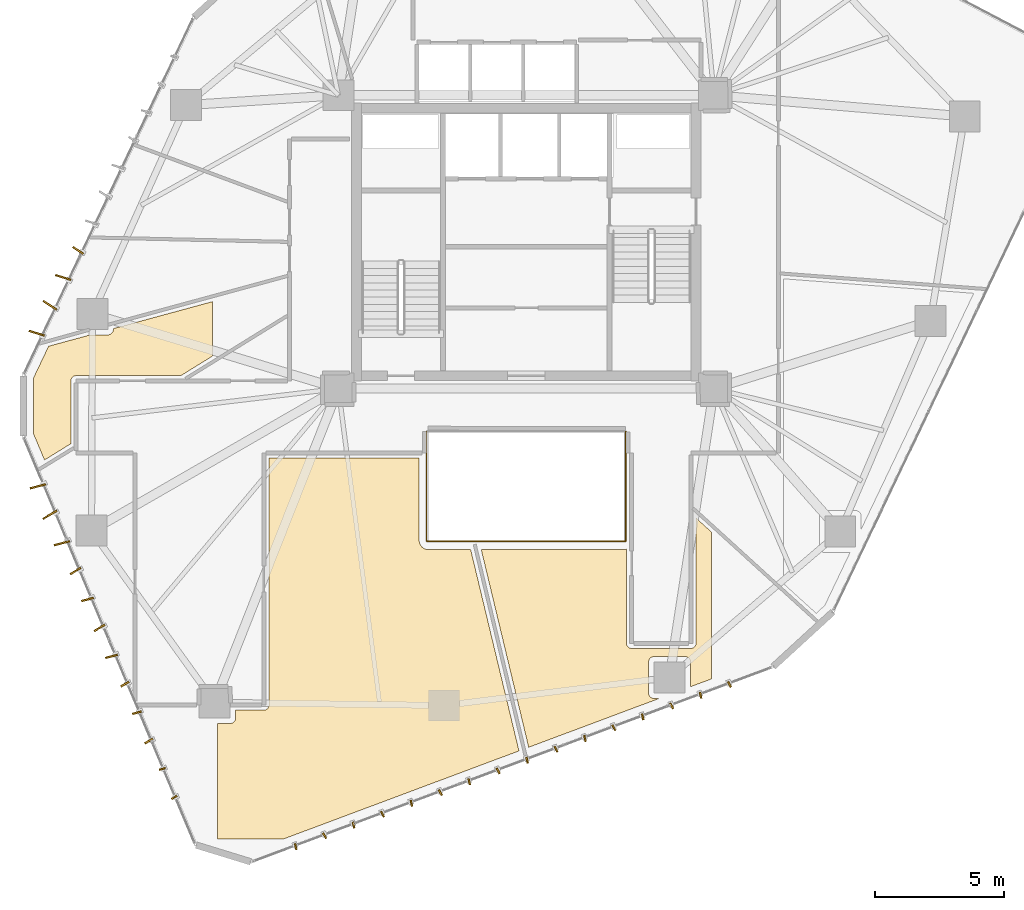
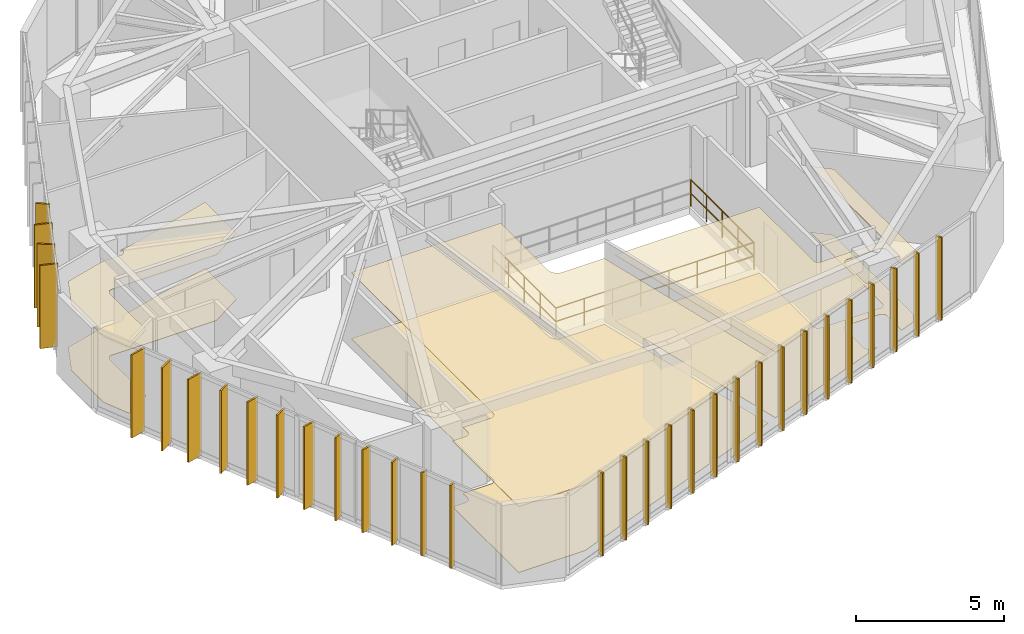
# One storey, part 20 of 22: 32 shading devices, 6 coverings, 3 railings.
"""IFC4 building model written with IfcOpenShell, lengths in metres."""

from ifc_helpers import new_model, si_unit, direction, frame, origin, origin_2d, place, context, subcontext, project, spatial, polyline, rectangle, circle, outline, extrude, source, transform, mapped, material, layer, layer_set, type_object, type_shapes, element, save


model = new_model("IFC4")

# Units and contexts
model_context = context("Model", 3, precision=1e-05, world=origin(), true_north=direction((0.0, 1.0)))
body_context = subcontext(model_context, "Body", "Model", "MODEL_VIEW")
ifc_project = project(units=[si_unit("LENGTHUNIT", "METRE"), si_unit("AREAUNIT", "SQUARE_METRE"), si_unit("VOLUMEUNIT", "CUBIC_METRE"), si_unit("PLANEANGLEUNIT", "RADIAN"), si_unit("MASSUNIT", "GRAM", prefix="KILO")], contexts=[model_context])

# Site, building, storey
site_placement = place(None, origin())
site = spatial("IfcSite", under=ifc_project, at=site_placement, CompositionType="ELEMENT")
building_placement = place(site_placement, origin())
building = spatial("IfcBuilding", under=site, at=building_placement, Name="Talar Marvaseh", CompositionType="ELEMENT")
storey_placement = place(building_placement, frame((0.0, 0.0, 150.60009765625)))
storey = spatial("IfcBuildingStorey", under=building, at=storey_placement, Name="L39", CompositionType="ELEMENT", Elevation=150.60009765625)

# Railings
ifc_material_1 = material(Name="Tempered Clear Glass", Category="glass")
railing_type = type_object("IfcRailingType", Name="Interior Atrium Edge Balustrade 1120", PredefinedType="BALUSTRADE", material=ifc_material_1)
railing_1_placement = place(storey_placement, frame((22.1298828125, 19.561279296875, 0.0)))
element("IfcRailing", 1, at=railing_1_placement, inside=storey, type_object=railing_type, Name="L39 Internal Daylight Atrium Balustrade 1", PredefinedType="BALUSTRADE", context=body_context, shape_type="SweptSolid", body=[
    extrude(circle(Radius=0.02392578125, at=origin_2d()), frame((0.0, 0.0, 1.09619140625), z_axis=(1.0, 0.0, 0.0), x_axis=(0.0, 1.0, 0.0)), (0.0, 0.0, 1.0), 7.740234375),
    extrude(circle(Radius=0.02392578125, at=origin_2d()), frame((0.0, 0.0, 0.5361328125), z_axis=(1.0, 0.0, 0.0), x_axis=(0.0, 1.0, 0.0)), (0.0, 0.0, 1.0), 7.740234375),
    extrude(circle(Radius=0.02099609375, at=origin_2d()), origin(), (0.0, 0.0, 1.0), 1.072021484375),
    extrude(circle(Radius=0.02099609375, at=origin_2d()), frame((1.105712890625, 0.0, 0.0)), (0.0, 0.0, 1.0), 1.072021484375),
    extrude(circle(Radius=0.02099609375, at=origin_2d()), frame((2.21142578125, 0.0, 0.0)), (0.0, 0.0, 1.0), 1.072021484375),
    extrude(circle(Radius=0.02099609375, at=origin_2d()), frame((3.317138671875, 0.0, 0.0)), (0.0, 0.0, 1.0), 1.072021484375),
    extrude(circle(Radius=0.02099609375, at=origin_2d()), frame((4.423095703125, 0.0, 0.0)), (0.0, 0.0, 1.0), 1.072021484375),
    extrude(circle(Radius=0.02099609375, at=origin_2d()), frame((5.52880859375, 0.0, 0.0)), (0.0, 0.0, 1.0), 1.072021484375),
    extrude(circle(Radius=0.02099609375, at=origin_2d()), frame((6.634521484375, 0.0, 0.0)), (0.0, 0.0, 1.0), 1.072021484375),
    extrude(circle(Radius=0.02099609375, at=origin_2d()), frame((7.740234375, 0.0, 0.0)), (0.0, 0.0, 1.0), 1.072021484375),
])
railing_2_placement = place(storey_placement, frame((29.8701171875, 19.561279296875, 0.0)))
element("IfcRailing", 2, at=railing_2_placement, inside=storey, type_object=railing_type, Name="L39 Internal Daylight Atrium Balustrade 2", PredefinedType="BALUSTRADE", context=body_context, shape_type="SweptSolid", body=[
    extrude(circle(Radius=0.02392578125, at=origin_2d()), frame((0.0, 0.0, 1.09619140625), z_axis=(0.0, 1.0, 0.0), x_axis=(-1.0, 0.0, 0.0)), (0.0, 0.0, 1.0), 4.27734375),
    extrude(circle(Radius=0.02392578125, at=origin_2d()), frame((0.0, 0.0, 0.5361328125), z_axis=(0.0, 1.0, 0.0), x_axis=(-1.0, 0.0, 0.0)), (0.0, 0.0, 1.0), 4.27734375),
    extrude(circle(Radius=0.02099609375, at=origin_2d()), origin(), (0.0, 0.0, 1.0), 1.072021484375),
    extrude(circle(Radius=0.02099609375, at=origin_2d()), frame((0.0, 1.0693359375, 0.0)), (0.0, 0.0, 1.0), 1.072021484375),
    extrude(circle(Radius=0.02099609375, at=origin_2d()), frame((0.0, 2.138671875, 0.0)), (0.0, 0.0, 1.0), 1.072021484375),
    extrude(circle(Radius=0.02099609375, at=origin_2d()), frame((0.0, 3.2080078125, 0.0)), (0.0, 0.0, 1.0), 1.072021484375),
    extrude(circle(Radius=0.02099609375, at=origin_2d()), frame((0.0, 4.27734375, 0.0)), (0.0, 0.0, 1.0), 1.072021484375),
])
railing_3_placement = place(storey_placement, frame((22.1298828125, 23.838623046875, 0.0)))
element("IfcRailing", 3, at=railing_3_placement, inside=storey, type_object=railing_type, Name="L39 Internal Daylight Atrium Balustrade 4", PredefinedType="BALUSTRADE", context=body_context, shape_type="SweptSolid", body=[
    extrude(circle(Radius=0.02392578125, at=origin_2d()), frame((0.0, 0.0, 1.09619140625), z_axis=(0.0, -1.0, 0.0), x_axis=(1.0, 0.0, 0.0)), (0.0, 0.0, 1.0), 4.27734375),
    extrude(circle(Radius=0.02392578125, at=origin_2d()), frame((0.0, 0.0, 0.5361328125), z_axis=(0.0, -1.0, 0.0), x_axis=(1.0, 0.0, 0.0)), (0.0, 0.0, 1.0), 4.27734375),
    extrude(circle(Radius=0.02099609375, at=origin_2d()), origin(), (0.0, 0.0, 1.0), 1.072021484375),
    extrude(circle(Radius=0.02099609375, at=origin_2d()), frame((0.0, -1.0693359375, 0.0)), (0.0, 0.0, 1.0), 1.072021484375),
    extrude(circle(Radius=0.02099609375, at=origin_2d()), frame((0.0, -2.138671875, 0.0)), (0.0, 0.0, 1.0), 1.072021484375),
    extrude(circle(Radius=0.02099609375, at=origin_2d()), frame((0.0, -3.2080078125, 0.0)), (0.0, 0.0, 1.0), 1.072021484375),
    extrude(circle(Radius=0.02099609375, at=origin_2d()), frame((0.0, -4.27734375, 0.0)), (0.0, 0.0, 1.0), 1.072021484375),
])

# Coverings
ifc_material_2 = material(Name="Mineral Fibre Acoustic Ceiling")
ifc_layer_1 = layer(ifc_material_2, 0.02490234375)
ifc_layer_set_1 = layer_set([ifc_layer_1], Name="Mineral Fibre Acoustic Ceiling")
covering_type_1 = type_object("IfcCoveringType", Name="Perforated Mineral Fibre Acoustic Suspended Ceiling", PredefinedType="CEILING", material=ifc_layer_set_1)
covering_1_placement = place(storey_placement, frame((0.0, 0.0, 2.719970703125)))
element("IfcCovering", 4, at=covering_1_placement, inside=storey, type_object=covering_type_1, Name="L39 Curatorial Office Acoustic Ceiling", PredefinedType="CEILING", context=body_context, shape_type="SweptSolid", body=[
    extrude(outline(polyline([(8.48046875, 25.9990234375), (8.4609375, 25.99609375), (8.44189453125, 25.991455078125), (8.423583984375, 25.98486328125), (8.40576171875, 25.976318359375), (8.388916015625, 25.96630859375), (8.373046875, 25.95458984375), (8.358642578125, 25.94140625), (8.345458984375, 25.927001953125), (8.333740234375, 25.9111328125), (8.323486328125, 25.894287109375), (8.315185546875, 25.87646484375), (8.30859375, 25.858154296875), (8.3037109375, 25.839111328125), (8.301025390625, 25.819580078125), (8.300048828125, 25.800048828125), (8.300048828125, 23.355712890625), (7.2783203125, 22.723388671875), (6.857421875, 23.72216796875), (6.852783203125, 25.91748046875), (7.4365234375, 27.1455078125), (9.058837890625, 27.5869140625), (9.74267578125, 27.587646484375), (9.76220703125, 27.588623046875), (9.78173828125, 27.591552734375), (9.80078125, 27.59619140625), (9.8193359375, 27.60302734375), (9.837158203125, 27.611572265625), (9.85400390625, 27.62158203125), (9.869873046875, 27.63330078125), (9.88427734375, 27.646728515625), (9.8974609375, 27.661376953125), (9.907958984375, 27.67431640625), (9.919677734375, 27.68994140625), (9.929443359375, 27.706787109375), (9.937744140625, 27.724365234375), (9.9443359375, 27.74267578125), (9.94921875, 27.76171875), (9.951904296875, 27.781005859375), (9.952880859375, 27.80029296875), (9.952880859375, 27.83056640625), (13.800048828125, 28.8779296875), (13.800048828125, 26.7578125), (12.574951171875, 26.0), (8.5, 26.0), (8.48046875, 25.9990234375)])), origin(), (0.0, 0.0, 1.0), 0.02490234375),
])
covering_2_placement = place(storey_placement, frame((0.0, 0.0, 2.719970703125)))
element("IfcCovering", 5, at=covering_2_placement, inside=storey, type_object=covering_type_1, Name="L39 Archival Research Office Acoustic Ceiling", PredefinedType="CEILING", context=body_context, shape_type="SweptSolid", body=[
    extrude(outline(polyline([(14.516357421875, 12.486083984375), (14.535888671875, 12.489013671875), (14.5546875, 12.49365234375), (14.5732421875, 12.500244140625), (14.591064453125, 12.5087890625), (14.60791015625, 12.518798828125), (14.62353515625, 12.530517578125), (14.63818359375, 12.543701171875), (14.651123046875, 12.55810546875), (14.662841796875, 12.573974609375), (14.672119140625, 12.587890625), (14.682373046875, 12.6044921875), (14.690673828125, 12.622314453125), (14.697509765625, 12.640869140625), (14.7021484375, 12.659912109375), (14.705078125, 12.679443359375), (14.7060546875, 12.698974609375), (14.7060546875, 13.0), (15.800048828125, 13.0), (15.819580078125, 13.0009765625), (15.839111328125, 13.00390625), (15.858154296875, 13.008544921875), (15.87646484375, 13.01513671875), (15.894287109375, 13.023681640625), (15.9111328125, 13.03369140625), (15.927001953125, 13.04541015625), (15.94140625, 13.05859375), (15.95458984375, 13.072998046875), (15.96630859375, 13.0888671875), (15.976318359375, 13.105712890625), (15.98486328125, 13.12353515625), (15.991455078125, 13.141845703125), (15.99609375, 13.160888671875), (15.9990234375, 13.180419921875), (16.0, 13.199951171875), (16.0, 22.800048828125), (21.840087890625, 22.800048828125), (21.840087890625, 19.60009765625), (21.840576171875, 19.585205078125), (21.84228515625, 19.570556640625), (21.84912109375, 19.524169921875), (21.852783203125, 19.5048828125), (21.858642578125, 19.486083984375), (21.8662109375, 19.468017578125), (21.88623046875, 19.425537109375), (21.8955078125, 19.408203125), (21.90625, 19.39208984375), (21.918701171875, 19.376953125), (21.9501953125, 19.342041015625), (21.964111328125, 19.328125), (21.9794921875, 19.315673828125), (21.995849609375, 19.3046875), (22.0361328125, 19.280517578125), (22.053466796875, 19.271240234375), (22.071533203125, 19.263916015625), (22.090087890625, 19.25830078125), (22.1357421875, 19.246826171875), (22.159912109375, 19.2421875), (22.18408203125, 19.24072265625), (23.841552734375, 19.239990234375), (25.719970703125, 11.415771484375), (16.588134765625, 8.0), (14.0, 8.0), (14.0, 12.484619140625), (14.496826171875, 12.485107421875), (14.516357421875, 12.486083984375)])), origin(), (0.0, 0.0, 1.0), 0.02490234375),
])
covering_3_placement = place(storey_placement, frame((0.0, 0.0, 2.719970703125)))
element("IfcCovering", 6, at=covering_3_placement, inside=storey, type_object=covering_type_1, Name="L39 Scholars' Servery Pantry Acoustic Ceiling", PredefinedType="CEILING", context=body_context, shape_type="SweptSolid", body=[
    extrude(outline(polyline([(29.800048828125, 19.239990234375), (29.81640625, 19.24072265625), (29.83251953125, 19.24267578125), (29.8486328125, 19.24609375), (29.89990234375, 19.2587890625), (29.89990234375, 15.60009765625), (29.90087890625, 15.580322265625), (29.90380859375, 15.56103515625), (29.90869140625, 15.5419921875), (29.915283203125, 15.5234375), (29.923583984375, 15.505615234375), (29.93359375, 15.489013671875), (29.9453125, 15.47314453125), (29.95849609375, 15.45849609375), (29.97314453125, 15.4453125), (29.989013671875, 15.43359375), (30.005615234375, 15.423583984375), (30.0234375, 15.415283203125), (30.0419921875, 15.40869140625), (30.06103515625, 15.40380859375), (30.080322265625, 15.40087890625), (30.10009765625, 15.39990234375), (32.39990234375, 15.39990234375), (32.419677734375, 15.40087890625), (32.43896484375, 15.40380859375), (32.4580078125, 15.40869140625), (32.4765625, 15.415283203125), (32.494384765625, 15.423583984375), (32.510986328125, 15.43359375), (32.52685546875, 15.4453125), (32.54150390625, 15.45849609375), (32.5546875, 15.47314453125), (32.56640625, 15.489013671875), (32.576416015625, 15.505615234375), (32.584716796875, 15.5234375), (32.59130859375, 15.5419921875), (32.59619140625, 15.56103515625), (32.59912109375, 15.580322265625), (32.60009765625, 15.60009765625), (32.60009765625, 20.46923828125), (33.199951171875, 19.923828125), (33.199951171875, 14.2138671875), (32.381591796875, 13.90771484375), (32.385009765625, 14.868896484375), (32.384033203125, 14.887451171875), (32.381591796875, 14.90576171875), (32.377197265625, 14.924072265625), (32.371337890625, 14.941650390625), (32.364013671875, 14.958740234375), (32.35498046875, 14.974853515625), (32.34423828125, 14.990234375), (32.33251953125, 15.004638671875), (32.319091796875, 15.017578125), (32.30419921875, 15.03125), (32.2900390625, 15.04296875), (32.274658203125, 15.053466796875), (32.258544921875, 15.062255859375), (32.24169921875, 15.069580078125), (32.22412109375, 15.07568359375), (32.2060546875, 15.07958984375), (32.187744140625, 15.082275390625), (32.169189453125, 15.0830078125), (30.958740234375, 15.07861328125), (30.939208984375, 15.07763671875), (30.919921875, 15.07470703125), (30.90087890625, 15.06982421875), (30.88232421875, 15.063232421875), (30.86474609375, 15.0546875), (30.847900390625, 15.044677734375), (30.832275390625, 15.032958984375), (30.817626953125, 15.019775390625), (30.8046875, 15.005126953125), (30.79296875, 14.989501953125), (30.782958984375, 14.97265625), (30.774658203125, 14.955078125), (30.76806640625, 14.9365234375), (30.76318359375, 14.91748046875), (30.760498046875, 14.898193359375), (30.759521484375, 14.878662109375), (30.759521484375, 13.657470703125), (30.760498046875, 13.6376953125), (30.76318359375, 13.618408203125), (30.76806640625, 13.599365234375), (30.774658203125, 13.580810546875), (30.782958984375, 13.56298828125), (30.793212890625, 13.54638671875), (30.8046875, 13.530517578125), (30.818115234375, 13.51611328125), (30.83251953125, 13.502685546875), (30.848388671875, 13.4912109375), (30.864990234375, 13.48095703125), (30.8828125, 13.47265625), (30.9013671875, 13.466064453125), (30.92041015625, 13.461181640625), (30.939697265625, 13.45849609375), (30.95947265625, 13.45751953125), (31.177734375, 13.45751953125), (26.097412109375, 11.556884765625), (24.2529296875, 19.239990234375), (29.800048828125, 19.239990234375)])), origin(), (0.0, 0.0, 1.0), 0.02490234375),
])
ifc_material_3 = material(Name="Porcelain Stoneware Tile", Category="masonry")
ifc_layer_2 = layer(ifc_material_3, 0.02001953125)
ifc_layer_set_2 = layer_set([ifc_layer_2], Name="Porcelain Stoneware Tile")
covering_type_2 = type_object("IfcCoveringType", Name="Polished Porcelain Stoneware Gallery Flooring", PredefinedType="FLOORING", material=ifc_layer_set_2)
covering_4_placement = place(storey_placement, origin())
element("IfcCovering", 7, at=covering_4_placement, inside=storey, type_object=covering_type_2, Name="L39 Curatorial Office Flooring", PredefinedType="FLOORING", context=body_context, shape_type="SweptSolid", body=[
    extrude(outline(polyline([(8.48046875, 25.9990234375), (8.4609375, 25.99609375), (8.44189453125, 25.991455078125), (8.423583984375, 25.98486328125), (8.40576171875, 25.976318359375), (8.388916015625, 25.96630859375), (8.373046875, 25.95458984375), (8.358642578125, 25.94140625), (8.345458984375, 25.927001953125), (8.333740234375, 25.9111328125), (8.323486328125, 25.894287109375), (8.315185546875, 25.87646484375), (8.30859375, 25.858154296875), (8.3037109375, 25.839111328125), (8.301025390625, 25.819580078125), (8.300048828125, 25.800048828125), (8.300048828125, 23.355712890625), (7.2783203125, 22.723388671875), (6.857421875, 23.72216796875), (6.852783203125, 25.91748046875), (7.4365234375, 27.1455078125), (9.058837890625, 27.5869140625), (9.74267578125, 27.587646484375), (9.76220703125, 27.588623046875), (9.78173828125, 27.591552734375), (9.80078125, 27.59619140625), (9.8193359375, 27.60302734375), (9.837158203125, 27.611572265625), (9.85400390625, 27.62158203125), (9.869873046875, 27.63330078125), (9.88427734375, 27.646728515625), (9.8974609375, 27.661376953125), (9.907958984375, 27.67431640625), (9.919677734375, 27.68994140625), (9.929443359375, 27.706787109375), (9.937744140625, 27.724365234375), (9.9443359375, 27.74267578125), (9.94921875, 27.76171875), (9.951904296875, 27.781005859375), (9.952880859375, 27.80029296875), (9.952880859375, 27.83056640625), (13.800048828125, 28.8779296875), (13.800048828125, 26.7578125), (12.574951171875, 26.0), (8.5, 26.0), (8.48046875, 25.9990234375)])), origin(), (0.0, 0.0, 1.0), 0.02001953125),
])
covering_5_placement = place(storey_placement, origin())
element("IfcCovering", 8, at=covering_5_placement, inside=storey, type_object=covering_type_2, Name="L39 Archival Research Office Flooring", PredefinedType="FLOORING", context=body_context, shape_type="SweptSolid", body=[
    extrude(outline(polyline([(14.516357421875, 12.486083984375), (14.535888671875, 12.489013671875), (14.5546875, 12.49365234375), (14.5732421875, 12.500244140625), (14.591064453125, 12.5087890625), (14.60791015625, 12.518798828125), (14.62353515625, 12.530517578125), (14.63818359375, 12.543701171875), (14.651123046875, 12.55810546875), (14.662841796875, 12.573974609375), (14.672119140625, 12.587890625), (14.682373046875, 12.6044921875), (14.690673828125, 12.622314453125), (14.697509765625, 12.640869140625), (14.7021484375, 12.659912109375), (14.705078125, 12.679443359375), (14.7060546875, 12.698974609375), (14.7060546875, 13.0), (15.800048828125, 13.0), (15.819580078125, 13.0009765625), (15.839111328125, 13.00390625), (15.858154296875, 13.008544921875), (15.87646484375, 13.01513671875), (15.894287109375, 13.023681640625), (15.9111328125, 13.03369140625), (15.927001953125, 13.04541015625), (15.94140625, 13.05859375), (15.95458984375, 13.072998046875), (15.96630859375, 13.0888671875), (15.976318359375, 13.105712890625), (15.98486328125, 13.12353515625), (15.991455078125, 13.141845703125), (15.99609375, 13.160888671875), (15.9990234375, 13.180419921875), (16.0, 13.199951171875), (16.0, 22.800048828125), (21.840087890625, 22.800048828125), (21.840087890625, 19.60009765625), (21.840576171875, 19.585205078125), (21.84228515625, 19.570556640625), (21.84912109375, 19.524169921875), (21.852783203125, 19.5048828125), (21.858642578125, 19.486083984375), (21.8662109375, 19.468017578125), (21.88623046875, 19.425537109375), (21.8955078125, 19.408203125), (21.90625, 19.39208984375), (21.918701171875, 19.376953125), (21.9501953125, 19.342041015625), (21.964111328125, 19.328125), (21.9794921875, 19.315673828125), (21.995849609375, 19.3046875), (22.0361328125, 19.280517578125), (22.053466796875, 19.271240234375), (22.071533203125, 19.263916015625), (22.090087890625, 19.25830078125), (22.1357421875, 19.246826171875), (22.159912109375, 19.2421875), (22.18408203125, 19.24072265625), (23.841552734375, 19.239990234375), (25.719970703125, 11.415771484375), (16.588134765625, 8.0), (14.0, 8.0), (14.0, 12.484619140625), (14.496826171875, 12.485107421875), (14.516357421875, 12.486083984375)])), origin(), (0.0, 0.0, 1.0), 0.02001953125),
])
covering_6_placement = place(storey_placement, origin())
element("IfcCovering", 9, at=covering_6_placement, inside=storey, type_object=covering_type_2, Name="L39 Scholars' Servery Pantry Flooring", PredefinedType="FLOORING", context=body_context, shape_type="SweptSolid", body=[
    extrude(outline(polyline([(29.800048828125, 19.239990234375), (29.81640625, 19.24072265625), (29.83251953125, 19.24267578125), (29.8486328125, 19.24609375), (29.89990234375, 19.2587890625), (29.89990234375, 15.60009765625), (29.90087890625, 15.580322265625), (29.90380859375, 15.56103515625), (29.90869140625, 15.5419921875), (29.915283203125, 15.5234375), (29.923583984375, 15.505615234375), (29.93359375, 15.489013671875), (29.9453125, 15.47314453125), (29.95849609375, 15.45849609375), (29.97314453125, 15.4453125), (29.989013671875, 15.43359375), (30.005615234375, 15.423583984375), (30.0234375, 15.415283203125), (30.0419921875, 15.40869140625), (30.06103515625, 15.40380859375), (30.080322265625, 15.40087890625), (30.10009765625, 15.39990234375), (32.39990234375, 15.39990234375), (32.419677734375, 15.40087890625), (32.43896484375, 15.40380859375), (32.4580078125, 15.40869140625), (32.4765625, 15.415283203125), (32.494384765625, 15.423583984375), (32.510986328125, 15.43359375), (32.52685546875, 15.4453125), (32.54150390625, 15.45849609375), (32.5546875, 15.47314453125), (32.56640625, 15.489013671875), (32.576416015625, 15.505615234375), (32.584716796875, 15.5234375), (32.59130859375, 15.5419921875), (32.59619140625, 15.56103515625), (32.59912109375, 15.580322265625), (32.60009765625, 15.60009765625), (32.60009765625, 20.46923828125), (33.199951171875, 19.923828125), (33.199951171875, 14.2138671875), (32.381591796875, 13.90771484375), (32.385009765625, 14.868896484375), (32.384033203125, 14.887451171875), (32.381591796875, 14.90576171875), (32.377197265625, 14.924072265625), (32.371337890625, 14.941650390625), (32.364013671875, 14.958740234375), (32.35498046875, 14.974853515625), (32.34423828125, 14.990234375), (32.33251953125, 15.004638671875), (32.319091796875, 15.017578125), (32.30419921875, 15.03125), (32.2900390625, 15.04296875), (32.274658203125, 15.053466796875), (32.258544921875, 15.062255859375), (32.24169921875, 15.069580078125), (32.22412109375, 15.07568359375), (32.2060546875, 15.07958984375), (32.187744140625, 15.082275390625), (32.169189453125, 15.0830078125), (30.958740234375, 15.07861328125), (30.939208984375, 15.07763671875), (30.919921875, 15.07470703125), (30.90087890625, 15.06982421875), (30.88232421875, 15.063232421875), (30.86474609375, 15.0546875), (30.847900390625, 15.044677734375), (30.832275390625, 15.032958984375), (30.817626953125, 15.019775390625), (30.8046875, 15.005126953125), (30.79296875, 14.989501953125), (30.782958984375, 14.97265625), (30.774658203125, 14.955078125), (30.76806640625, 14.9365234375), (30.76318359375, 14.91748046875), (30.760498046875, 14.898193359375), (30.759521484375, 14.878662109375), (30.759521484375, 13.657470703125), (30.760498046875, 13.6376953125), (30.76318359375, 13.618408203125), (30.76806640625, 13.599365234375), (30.774658203125, 13.580810546875), (30.782958984375, 13.56298828125), (30.793212890625, 13.54638671875), (30.8046875, 13.530517578125), (30.818115234375, 13.51611328125), (30.83251953125, 13.502685546875), (30.848388671875, 13.4912109375), (30.864990234375, 13.48095703125), (30.8828125, 13.47265625), (30.9013671875, 13.466064453125), (30.92041015625, 13.461181640625), (30.939697265625, 13.45849609375), (30.95947265625, 13.45751953125), (31.177734375, 13.45751953125), (26.097412109375, 11.556884765625), (24.2529296875, 19.239990234375), (29.800048828125, 19.239990234375)])), origin(), (0.0, 0.0, 1.0), 0.02001953125),
])

# Shading devices
ifc_material_4 = material(Name="Anodised Champagne Bronze Aluminium", Category="aluminium")
ifc_layer_3 = layer(ifc_material_4, 0.06494140625)
ifc_layer_set_3 = layer_set([ifc_layer_3], Name="Anodised Champagne Bronze Aluminium")
shading_device_type_1 = type_object("IfcShadingDeviceType", Name="Sawtooth Champagne Bronze Vertical Fin 240", PredefinedType="USERDEFINED", material=ifc_layer_set_3)
shared_shape_1 = source(origin(), body_context, "Body", "SweptSolid", [
    extrude(rectangle(XDim=0.239990234375, YDim=0.06494140625, at=origin_2d()), origin(), (0.0, 0.0, 1.0), 3.429931640625),
])
type_shapes(shading_device_type_1, [shared_shape_1])
for number, where, z_axis, x_axis, name in (
    (10, (12.32080078125, 9.608642578125, -0.1201171875), (0.0, 0.0, 1.0), (-0.858512728225, -0.512792253721, 0.0), "L39 Sawtooth Vertical Solar Fin"),
    (11, (11.85498046875, 10.714599609375, -0.1201171875), (0.0, 0.0, 1.0), (-0.966600102017, -0.256289373133, 0.0), "L39 Sawtooth Vertical Solar Fin"),
    (12, (33.901611328125, 14.001220703125, -0.1201171875), (0.0, 0.0, 1.0), (0.477312135513, -0.878733819363, 0.0), "L39 Sawtooth Vertical Solar Fin"),
    (13, (32.777587890625, 13.580810546875, -0.1201171875), (0.0, 0.0, 1.0), (0.216610006439, -0.976258216411, 0.0), "L39 Sawtooth Vertical Solar Fin"),
    (14, (31.653564453125, 13.160400390625, -0.1201171875), (0.0, 0.0, 1.0), (0.477312135513, -0.878733819363, 0.0), "L39 Sawtooth Vertical Solar Fin"),
    (15, (30.52978515625, 12.739990234375, -0.1201171875), (0.0, 0.0, 1.0), (0.216610006439, -0.976258216411, 0.0), "L39 Sawtooth Vertical Solar Fin"),
    (16, (29.40576171875, 12.3193359375, -0.1201171875), (0.0, 0.0, 1.0), (0.477312135513, -0.878733819363, 0.0), "L39 Sawtooth Vertical Solar Fin"),
    (17, (28.28173828125, 11.89892578125, -0.1201171875), (0.0, 0.0, 1.0), (0.216610006439, -0.976258216411, 0.0), "L39 Sawtooth Vertical Solar Fin"),
    (18, (27.15771484375, 11.478515625, -0.1201171875), (0.0, 0.0, 1.0), (0.477312135513, -0.878733819363, 0.0), "L39 Sawtooth Vertical Solar Fin"),
    (19, (26.033935546875, 11.05810546875, -0.1201171875), (0.0, 0.0, 1.0), (0.216610006439, -0.976258216411, 0.0), "L39 Sawtooth Vertical Solar Fin"),
    (20, (24.909912109375, 10.6376953125, -0.1201171875), (0.0, 0.0, 1.0), (0.477312135513, -0.878733819363, 0.0), "L39 Sawtooth Vertical Solar Fin"),
    (21, (23.785888671875, 10.21728515625, -0.1201171875), (0.0, 0.0, 1.0), (0.216610006439, -0.976258216411, 0.0), "L39 Sawtooth Vertical Solar Fin"),
    (22, (22.662109375, 9.796875, -0.1201171875), (0.0, 0.0, 1.0), (0.477312135513, -0.878733819363, 0.0), "L39 Sawtooth Vertical Solar Fin"),
    (23, (21.5380859375, 9.37646484375, -0.1201171875), (0.0, 0.0, 1.0), (0.216610006439, -0.976258216411, 0.0), "L39 Sawtooth Vertical Solar Fin"),
    (24, (20.414306640625, 8.9560546875, -0.1201171875), (0.0, 0.0, 1.0), (0.477312135513, -0.878733819363, 0.0), "L39 Sawtooth Vertical Solar Fin"),
    (25, (19.290283203125, 8.53564453125, -0.1201171875), (0.0, 0.0, 1.0), (0.216610006439, -0.976258216411, 0.0), "L39 Sawtooth Vertical Solar Fin"),
    (26, (18.166259765625, 8.115234375, -0.1201171875), (0.0, 0.0, 1.0), (0.477312135513, -0.878733819363, 0.0), "L39 Sawtooth Vertical Solar Fin"),
    (27, (17.04248046875, 7.69482421875, -0.1201171875), (0.0, 0.0, 1.0), (0.216610006439, -0.976258216411, 0.0), "L39 Sawtooth Vertical Solar Fin"),
):
    element("IfcShadingDevice", number, at=place(storey_placement, frame(where, z_axis=z_axis, x_axis=x_axis)), inside=storey, type_object=shading_device_type_1, Name=name, ObjectType="FIN", PredefinedType="USERDEFINED", context=body_context, shape_type="MappedRepresentation", body=[
        mapped(shared_shape_1, transform((0.0, 0.0, 0.0), x_axis=(1.0, 0.0, 0.0), y_axis=(0.0, 1.0, 0.0), z_axis=(0.0, 0.0, 1.0), scale=1.0)),
    ])
ifc_layer_4 = layer(ifc_material_4, 0.06494140625)
ifc_layer_set_4 = layer_set([ifc_layer_4], Name="Anodised Champagne Bronze Aluminium")
shading_device_type_2 = type_object("IfcShadingDeviceType", Name="Sawtooth Champagne Bronze Vertical Fin 360", PredefinedType="USERDEFINED", material=ifc_layer_set_4)
shared_shape_2 = source(origin(), body_context, "Body", "SweptSolid", [
    extrude(rectangle(XDim=0.360107421875, YDim=0.06494140625, at=origin_2d()), origin(), (0.0, 0.0, 1.0), 3.429931640625),
])
type_shapes(shading_device_type_2, [shared_shape_2])
for number, where, z_axis, x_axis, name in (
    (28, (11.333740234375, 11.797119140625, -0.1201171875), (0.0, 0.0, 1.0), (-0.858512728225, -0.512792253721, 0.0), "L39 Sawtooth Vertical Solar Fin"),
    (29, (10.867919921875, 12.90283203125, -0.1201171875), (0.0, 0.0, 1.0), (-0.966600102017, -0.256289373133, 0.0), "L39 Sawtooth Vertical Solar Fin"),
    (30, (10.40185546875, 14.0087890625, -0.1201171875), (0.0, 0.0, 1.0), (-0.858512728225, -0.512792253721, 0.0), "L39 Sawtooth Vertical Solar Fin"),
):
    element("IfcShadingDevice", number, at=place(storey_placement, frame(where, z_axis=z_axis, x_axis=x_axis)), inside=storey, type_object=shading_device_type_2, Name=name, ObjectType="FIN", PredefinedType="USERDEFINED", context=body_context, shape_type="MappedRepresentation", body=[
        mapped(shared_shape_2, transform((0.0, 0.0, 0.0), x_axis=(1.0, 0.0, 0.0), y_axis=(0.0, 1.0, 0.0), z_axis=(0.0, 0.0, 1.0), scale=1.0)),
    ])
ifc_layer_5 = layer(ifc_material_4, 0.06494140625)
ifc_layer_set_5 = layer_set([ifc_layer_5], Name="Anodised Champagne Bronze Aluminium")
shading_device_type_3 = type_object("IfcShadingDeviceType", Name="Sawtooth Champagne Bronze Vertical Fin 480", PredefinedType="USERDEFINED", material=ifc_layer_set_5)
shared_shape_3 = source(origin(), body_context, "Body", "SweptSolid", [
    extrude(rectangle(XDim=0.47998046875, YDim=0.06494140625, at=origin_2d()), origin(), (0.0, 0.0, 1.0), 3.429931640625),
])
type_shapes(shading_device_type_3, [shared_shape_3])
for number, where, z_axis, x_axis, name in (
    (31, (9.880615234375, 15.09130859375, -0.1201171875), (0.0, 0.0, 1.0), (-0.966600102017, -0.256289373133, 0.0), "L39 Sawtooth Vertical Solar Fin"),
    (32, (9.414794921875, 16.197265625, -0.1201171875), (0.0, 0.0, 1.0), (-0.858512728225, -0.512792253721, 0.0), "L39 Sawtooth Vertical Solar Fin"),
    (33, (8.948974609375, 17.302978515625, -0.1201171875), (0.0, 0.0, 1.0), (-0.966600102017, -0.256289373133, 0.0), "L39 Sawtooth Vertical Solar Fin"),
    (34, (8.48291015625, 18.408935546875, -0.1201171875), (0.0, 0.0, 1.0), (-0.858512728225, -0.512792253721, 0.0), "L39 Sawtooth Vertical Solar Fin"),
    (35, (8.583251953125, 30.872314453125, -0.1201171875), (0.0, 0.0, 1.0), (-0.834559517796, 0.550917789925, 0.0), "L39 Sawtooth Vertical Solar Fin"),
):
    element("IfcShadingDevice", number, at=place(storey_placement, frame(where, z_axis=z_axis, x_axis=x_axis)), inside=storey, type_object=shading_device_type_3, Name=name, ObjectType="FIN", PredefinedType="USERDEFINED", context=body_context, shape_type="MappedRepresentation", body=[
        mapped(shared_shape_3, transform((0.0, 0.0, 0.0), x_axis=(1.0, 0.0, 0.0), y_axis=(0.0, 1.0, 0.0), z_axis=(0.0, 0.0, 1.0), scale=1.0)),
    ])
ifc_layer_6 = layer(ifc_material_4, 0.06494140625)
ifc_layer_set_6 = layer_set([ifc_layer_6], Name="Anodised Champagne Bronze Aluminium")
shading_device_type_4 = type_object("IfcShadingDeviceType", Name="Sawtooth Champagne Bronze Vertical Fin 620", PredefinedType="USERDEFINED", material=ifc_layer_set_6)
shared_shape_4 = source(origin(), body_context, "Body", "SweptSolid", [
    extrude(rectangle(XDim=0.6201171875, YDim=0.06494140625, at=origin_2d()), origin(), (0.0, 0.0, 1.0), 3.429931640625),
])
type_shapes(shading_device_type_4, [shared_shape_4])
for number, where, z_axis, x_axis, name in (
    (36, (7.95263671875, 19.487548828125, -0.1201171875), (0.0, 0.0, 1.0), (-0.966600102017, -0.256289373133, 0.0), "L39 Sawtooth Vertical Solar Fin"),
    (37, (7.486572265625, 20.593505859375, -0.1201171875), (0.0, 0.0, 1.0), (-0.858512728225, -0.512792253721, 0.0), "L39 Sawtooth Vertical Solar Fin"),
    (38, (7.020751953125, 21.69921875, -0.1201171875), (0.0, 0.0, 1.0), (-0.966600102017, -0.256289373133, 0.0), "L39 Sawtooth Vertical Solar Fin"),
    (39, (6.97412109375, 27.6513671875, -0.1201171875), (0.0, 0.0, 1.0), (-0.954083620326, 0.299540390309, 0.0), "L39 Sawtooth Vertical Solar Fin"),
    (40, (7.489501953125, 28.735107421875, -0.1201171875), (0.0, 0.0, 1.0), (-0.834559517796, 0.550917789925, 0.0), "L39 Sawtooth Vertical Solar Fin"),
    (41, (8.0048828125, 29.81884765625, -0.1201171875), (0.0, 0.0, 1.0), (-0.954083620326, 0.299540390309, 0.0), "L39 Sawtooth Vertical Solar Fin"),
):
    element("IfcShadingDevice", number, at=place(storey_placement, frame(where, z_axis=z_axis, x_axis=x_axis)), inside=storey, type_object=shading_device_type_4, Name=name, ObjectType="FIN", PredefinedType="USERDEFINED", context=body_context, shape_type="MappedRepresentation", body=[
        mapped(shared_shape_4, transform((0.0, 0.0, 0.0), x_axis=(1.0, 0.0, 0.0), y_axis=(0.0, 1.0, 0.0), z_axis=(0.0, 0.0, 1.0), scale=1.0)),
    ])

save(model, "model.ifc")
